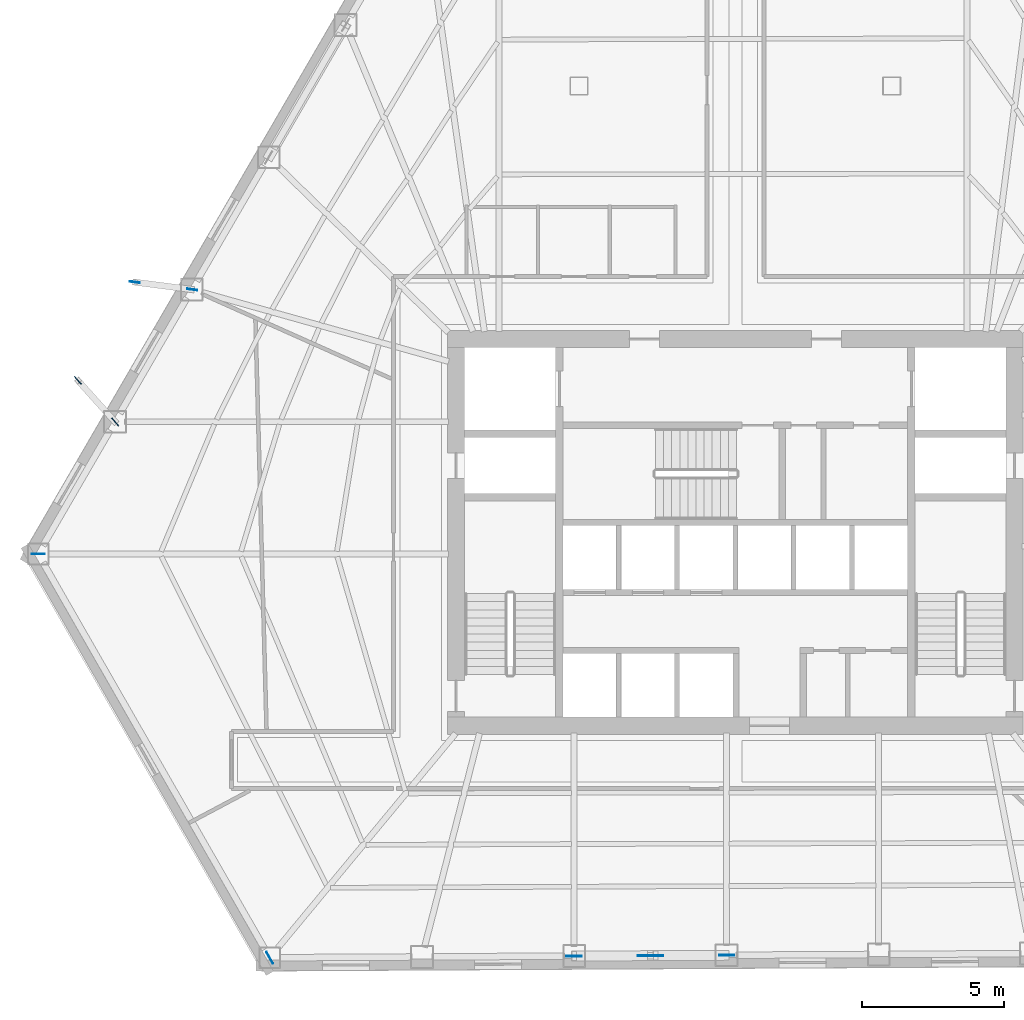
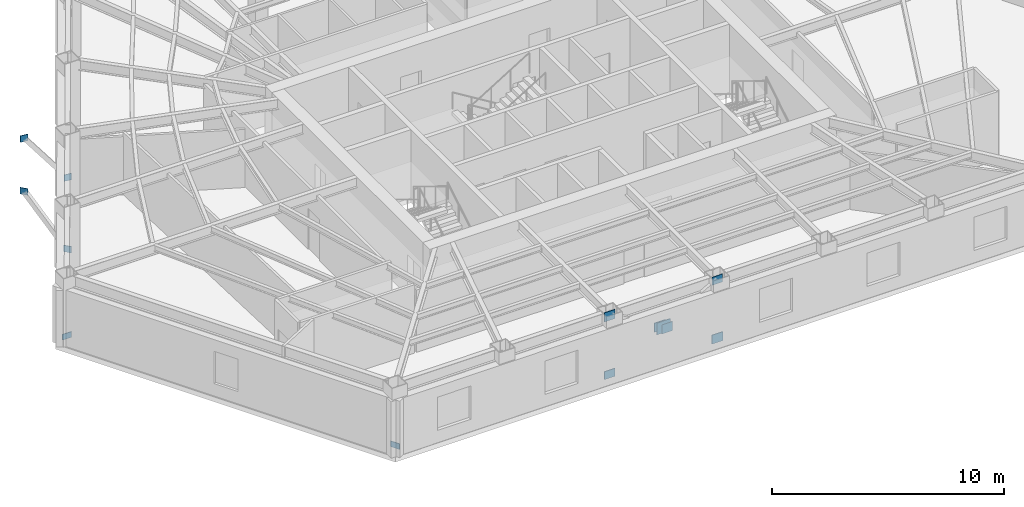
# One storey, part 4 of 12: 13 plates.
"""IFC4 building model written with IfcOpenShell, lengths in metres."""

from ifc_helpers import new_model, si_unit, direction, frame, origin, origin_2d, place, context, subcontext, project, spatial, rectangle, extrude, material, layer, layer_set, type_object, element, save


model = new_model("IFC4")

# Units and contexts
model_context = context("Model", 3, precision=1e-05, world=origin(), true_north=direction((0.0, 1.0)))
body_context = subcontext(model_context, "Body", "Model", "MODEL_VIEW")
ifc_project = project(units=[si_unit("LENGTHUNIT", "METRE"), si_unit("AREAUNIT", "SQUARE_METRE"), si_unit("VOLUMEUNIT", "CUBIC_METRE"), si_unit("PLANEANGLEUNIT", "RADIAN"), si_unit("MASSUNIT", "GRAM", prefix="KILO")], contexts=[model_context])

# Site, building, storey
site_placement = place(None, origin())
site = spatial("IfcSite", under=ifc_project, at=site_placement, CompositionType="ELEMENT")
building_placement = place(site_placement, origin())
building = spatial("IfcBuilding", under=site, at=building_placement, Name="Kavelnor Concourse Tower", CompositionType="ELEMENT")
storey_placement = place(building_placement, frame((0.0, 0.0, 6.0)))
storey = spatial("IfcBuildingStorey", under=building, at=storey_placement, Name="L01", CompositionType="ELEMENT", Elevation=6.0)

# Plates
ifc_material = material(Name="Steel Grade 350", Category="steel")
ifc_layer_1 = layer(ifc_material, 0.028076171875, Name="Steel Grade 350")
ifc_layer_set_1 = layer_set([ifc_layer_1], Name="Steel Grade 350")
plate_type_1 = type_object("IfcPlateType", Name="PL-GUSSET-FOLD", PredefinedType="USERDEFINED", material=ifc_layer_set_1)
for number, where, z_axis, x_axis, name in (
    (1, (13.479736328125, 15.33935546875, 0.10009765625), (0.0, 0.0, 1.0), (1.0, 0.0, 0.0), "L01 Herringbone Corner-Fold Kink Gusset Plate F0-B6"),
    (2, (21.62451171875, 1.142333984375, 0.10009765625), (0.0, 0.0, 1.0), (-0.5, 0.866025403784, 0.0), "L01 Herringbone Corner-Fold Kink Gusset Plate F1-B0"),
):
    element("IfcPlate", number, at=place(storey_placement, frame(where, z_axis=z_axis, x_axis=x_axis)), inside=storey, type_object=plate_type_1, Name=name, ObjectType="GUSSET_PLATE", PredefinedType="USERDEFINED", context=body_context, shape_type="SweptSolid", body=[
        extrude(rectangle(XDim=0.4599609375, YDim=0.028076171875, at=origin_2d()), origin(), (0.0, 0.0, 1.0), 0.300048828125),
    ])
for number, where, z_axis, x_axis, name in (
    (3, (18.896484375, 24.64111328125, 0.8798828125), (0.0, 0.0, 1.0), (-0.99178318013, 0.127930151302, 0.0), "L01 Balcony Strut Gusset GP4 2-A End Gusset A"),
    (4, (16.876708984375, 24.9013671875, 3.48486328125), (0.0, 0.0, 1.0), (-0.99178318013, 0.127930151302, 0.0), "L01 Balcony Strut Gusset GP4 2-A End Gusset B"),
    (5, (16.190185546875, 19.98193359375, 0.8798828125), (0.0, 0.0, 1.0), (-0.66744274333, 0.744661120495, 0.0), "L01 Balcony Strut Gusset GP4 2-B End Gusset A"),
    (6, (14.878173828125, 21.446044921875, 3.48486328125), (0.0, 0.0, 1.0), (-0.66744274333, 0.744661120495, 0.0), "L01 Balcony Strut Gusset GP4 2-B End Gusset B"),
):
    element("IfcPlate", number, at=place(storey_placement, frame(where, z_axis=z_axis, x_axis=x_axis)), inside=storey, type_object=plate_type_1, Name=name, ObjectType="GUSSET_PLATE", PredefinedType="USERDEFINED", context=body_context, shape_type="SweptSolid", body=[
        extrude(rectangle(XDim=0.360107421875, YDim=0.028076171875, at=origin_2d()), origin(), (0.0, 0.0, 1.0), 0.340087890625),
    ])
ifc_layer_2 = layer(ifc_material, 0.031982421875, Name="Steel Grade 350")
ifc_layer_set_2 = layer_set([ifc_layer_2], Name="Steel Grade 350")
plate_type_2 = type_object("IfcPlateType", Name="PL-GUSSET-TUBE-Z1", PredefinedType="USERDEFINED", material=ifc_layer_set_2)
for number, where, z_axis, x_axis, name in (
    (7, (32.319580078125, 1.20068359375, 0.010009765625), (0.0, 0.0, 1.0), (0.999985363169, 0.005410494284, 0.0), "L01 Tube Brace Gusset GP3 F1-B2 End Gusset A"),
    (8, (37.697021484375, 1.22998046875, 3.073974609375), (0.0, 0.0, 1.0), (0.999985363169, 0.005410494284, 0.0), "L01 Tube Brace Gusset GP3 F1-B2 End Gusset B"),
):
    element("IfcPlate", number, at=place(storey_placement, frame(where, z_axis=z_axis, x_axis=x_axis)), inside=storey, type_object=plate_type_2, Name=name, ObjectType="GUSSET_PLATE", PredefinedType="USERDEFINED", context=body_context, shape_type="SweptSolid", body=[
        extrude(rectangle(XDim=0.52001953125, YDim=0.031982421875, at=origin_2d()), origin(), (0.0, 0.0, 1.0), 0.419921875),
    ])
for number, where, z_axis, x_axis, name in (
    (9, (37.697021484375, 1.22998046875, -0.02001953125), (0.0, 0.0, 1.0), (-0.999985363169, -0.005410494284, 0.0), "L01 X-Brace Lower Gusset F1-B2 End Gusset A"),
    (10, (35.187255859375, 1.21630859375, 1.402587890625), (0.0, 0.0, 1.0), (-0.999985363169, -0.005410494284, 0.0), "L01 X-Brace Lower Gusset F1-B2 End Gusset B"),
    (11, (34.829345703125, 1.214599609375, 1.621337890625), (0.0, 0.0, 1.0), (-0.999985363169, -0.005410494284, 0.0), "L01 X-Brace Upper Gusset F1-B2 End Gusset A"),
    (12, (32.319580078125, 1.20068359375, 3.0439453125), (0.0, 0.0, 1.0), (-0.999985363169, -0.005410494284, 0.0), "L01 X-Brace Upper Gusset F1-B2 End Gusset B"),
):
    element("IfcPlate", number, at=place(storey_placement, frame(where, z_axis=z_axis, x_axis=x_axis)), inside=storey, type_object=plate_type_2, Name=name, ObjectType="GUSSET_PLATE", PredefinedType="USERDEFINED", context=body_context, shape_type="SweptSolid", body=[
        extrude(rectangle(XDim=0.5400390625, YDim=0.031982421875, at=origin_2d()), origin(), (0.0, 0.0, 1.0), 0.47998046875),
    ])
plate_placement = place(storey_placement, frame((35.00830078125, 1.21533203125, 1.44189453125), z_axis=(0.0, 0.0, 1.0), x_axis=(-0.999985363169, -0.005410494284, 0.0)))
element("IfcPlate", 13, at=plate_placement, inside=storey, type_object=plate_type_2, Name="L01 Tube X-Brace Central Crossing Gusset GP3 F1-B2", ObjectType="GUSSET_PLATE", PredefinedType="USERDEFINED", context=body_context, shape_type="SweptSolid", body=[
    extrude(rectangle(XDim=0.679931640625, YDim=0.031982421875, at=origin_2d()), origin(), (0.0, 0.0, 1.0), 0.6201171875),
])

save(model, "model.ifc")
